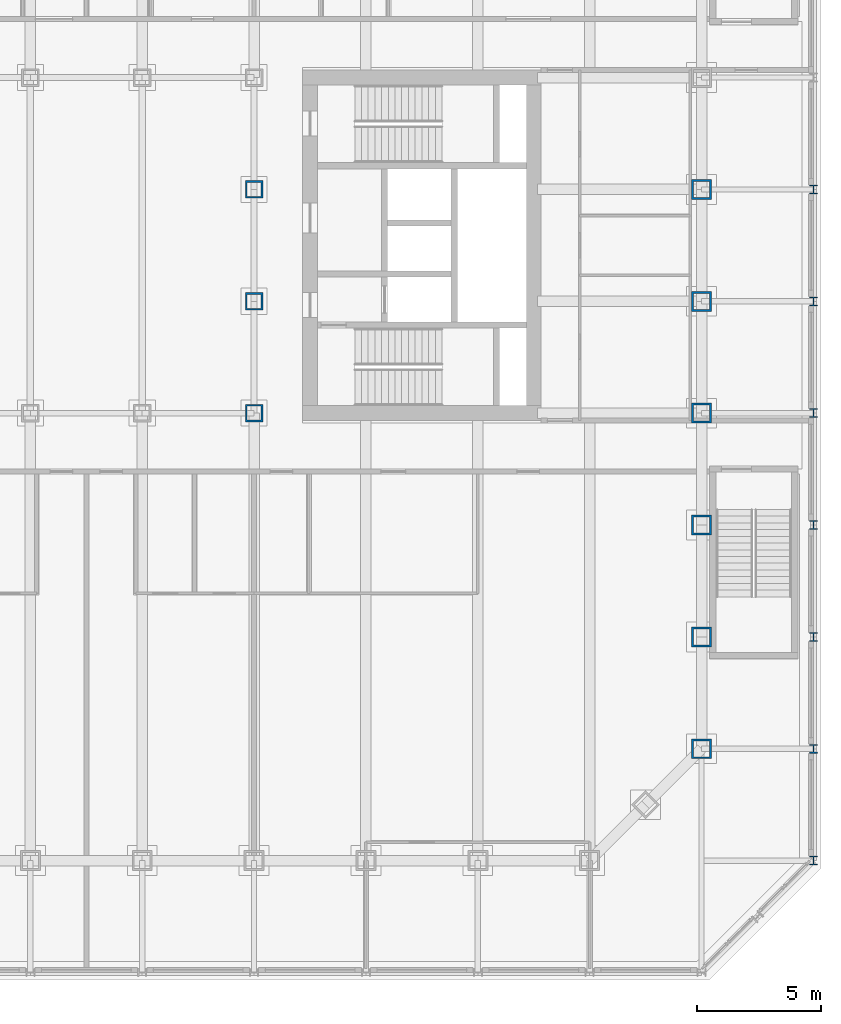
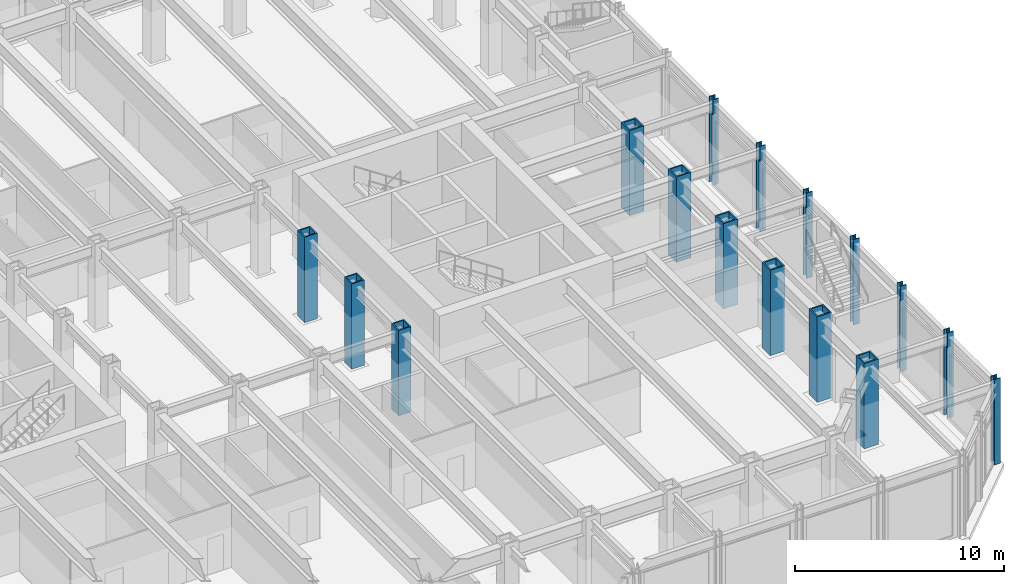
# One storey, part 2 of 19: 16 columns.
"""IFC4 building model written with IfcOpenShell, lengths in metres."""

from ifc_helpers import new_model, si_unit, direction, frame, origin, origin_2d, place, context, subcontext, project, spatial, hollow_rectangle, i_section, extrude, material, material_profile, profile_set, type_object, element, save


model = new_model("IFC4")

# Units and contexts
model_context = context("Model", 3, precision=1e-05, world=origin(), true_north=direction((0.0, 1.0)))
body_context = subcontext(model_context, "Body", "Model", "MODEL_VIEW")
ifc_project = project(units=[si_unit("LENGTHUNIT", "METRE"), si_unit("AREAUNIT", "SQUARE_METRE"), si_unit("VOLUMEUNIT", "CUBIC_METRE"), si_unit("PLANEANGLEUNIT", "RADIAN"), si_unit("MASSUNIT", "GRAM", prefix="KILO")], contexts=[model_context])

# Site, building, storey
site_placement = place(None, origin())
site = spatial("IfcSite", under=ifc_project, at=site_placement, CompositionType="ELEMENT")
building_placement = place(site_placement, origin())
building = spatial("IfcBuilding", under=site, at=building_placement, Name="Msasa Ring Tower", CompositionType="ELEMENT")
storey_placement = place(building_placement, frame((0.0, 0.0, 11.0)))
storey = spatial("IfcBuildingStorey", under=building, at=storey_placement, Name="L02", CompositionType="ELEMENT", Elevation=11.0)

# Columns
ifc_material_1 = material(Name="Steel S355", Category="steel")
ifc_material_profile_1 = material_profile(ifc_material_1, hollow_rectangle(XDim=0.699951171875, YDim=0.699951171875, WallThickness=0.070068359375, at=origin_2d()), Name="BOX 700x700x70")
ifc_profile_set_1 = profile_set([ifc_material_profile_1], Name="Steel S355")
column_type_1 = type_object("IfcColumnType", Name="IC1 BOX 700x700x70", PredefinedType="COLUMN", material=ifc_profile_set_1)
for number, where, z_axis, x_axis, name in (
    (1, (6.75, -6.75, 0.0), (0.0, 0.0, 1.0), (1.0, 0.0, 0.0), "Inner ring column IR+6.75-6.75 L02"),
    (2, (6.75, -2.25, 0.0), (0.0, 0.0, 1.0), (1.0, 0.0, 0.0), "Inner ring column IR+6.75-2.25 L02"),
    (3, (6.75, 2.25, 0.0), (0.0, 0.0, 1.0), (1.0, 0.0, 0.0), "Inner ring column IR+6.75+2.25 L02"),
):
    element("IfcColumn", number, at=place(storey_placement, frame(where, z_axis=z_axis, x_axis=x_axis)), inside=storey, type_object=column_type_1, Name=name, PredefinedType="COLUMN", context=body_context, shape_type="SweptSolid", body=[
        extrude(hollow_rectangle(XDim=0.699951171875, YDim=0.699951171875, WallThickness=0.070068359375, at=origin_2d()), origin(), (0.0, 0.0, 1.0), 5.0),
    ])
ifc_material_2 = material(Name="Steel S355", Category="steel")
ifc_material_profile_2 = material_profile(ifc_material_2, i_section(OverallWidth=0.322265625, OverallDepth=0.365234375, WebThickness=0.02685546875, FlangeThickness=0.044189453125, FilletRadius=0.01513671875, at=origin_2d()), Name="UC 305x305x283")
ifc_profile_set_2 = profile_set([ifc_material_profile_2], Name="Steel S355")
column_type_2 = type_object("IfcColumnType", Name="PC1 UC 305x305x283", PredefinedType="COLUMN", material=ifc_profile_set_2)
for number, where, z_axis, x_axis, name in (
    (4, (29.25, -24.75, 0.0), (0.0, 0.0, 1.0), (1.0, 0.0, 0.0), "Podium column E-24.75 L02"),
    (5, (29.25, -20.25, 0.0), (0.0, 0.0, 1.0), (1.0, 0.0, 0.0), "Podium column E-20.25 L02"),
    (6, (29.25, -15.75, 0.0), (0.0, 0.0, 1.0), (1.0, 0.0, 0.0), "Podium column E-15.75 L02"),
    (7, (29.25, -11.25, 0.0), (0.0, 0.0, 1.0), (1.0, 0.0, 0.0), "Podium column E-11.25 L02"),
    (8, (29.25, -6.75, 0.0), (0.0, 0.0, 1.0), (1.0, 0.0, 0.0), "Podium column E-6.75 L02"),
    (9, (29.25, -2.25, 0.0), (0.0, 0.0, 1.0), (1.0, 0.0, 0.0), "Podium column E-2.25 L02"),
    (10, (29.25, 2.25, 0.0), (0.0, 0.0, 1.0), (1.0, 0.0, 0.0), "Podium column E+2.25 L02"),
):
    element("IfcColumn", number, at=place(storey_placement, frame(where, z_axis=z_axis, x_axis=x_axis)), inside=storey, type_object=column_type_2, Name=name, PredefinedType="COLUMN", context=body_context, shape_type="SweptSolid", body=[
        extrude(i_section(OverallWidth=0.322265625, OverallDepth=0.365234375, WebThickness=0.02685546875, FlangeThickness=0.044189453125, FilletRadius=0.01513671875, at=origin_2d()), origin(), (0.0, 0.0, 1.0), 5.0),
    ])
ifc_material_3 = material(Name="Steel S355", Category="steel")
ifc_material_profile_3 = material_profile(ifc_material_3, hollow_rectangle(XDim=0.800048828125, YDim=0.800048828125, WallThickness=0.080078125, at=origin_2d()), Name="BOX 800x800x80")
ifc_profile_set_3 = profile_set([ifc_material_profile_3], Name="Steel S355")
column_type_3 = type_object("IfcColumnType", Name="TC1 BOX 800x800x80", PredefinedType="COLUMN", material=ifc_profile_set_3)
for number, where, z_axis, x_axis, name in (
    (11, (24.75, -20.25, 0.0), (0.0, 0.0, 1.0), (1.0, 0.0, 0.0), "Tube column E-20.25 L02"),
    (12, (24.75, -15.75, 0.0), (0.0, 0.0, 1.0), (1.0, 0.0, 0.0), "Tube column E-15.75 L02"),
    (13, (24.75, -11.25, 0.0), (0.0, 0.0, 1.0), (1.0, 0.0, 0.0), "Tube column E-11.25 L02"),
    (14, (24.75, -6.75, 0.0), (0.0, 0.0, 1.0), (1.0, 0.0, 0.0), "Tube column E-6.75 L02"),
    (15, (24.75, -2.25, 0.0), (0.0, 0.0, 1.0), (1.0, 0.0, 0.0), "Tube column E-2.25 L02"),
    (16, (24.75, 2.25, 0.0), (0.0, 0.0, 1.0), (1.0, 0.0, 0.0), "Tube column E+2.25 L02"),
):
    element("IfcColumn", number, at=place(storey_placement, frame(where, z_axis=z_axis, x_axis=x_axis)), inside=storey, type_object=column_type_3, Name=name, PredefinedType="COLUMN", context=body_context, shape_type="SweptSolid", body=[
        extrude(hollow_rectangle(XDim=0.800048828125, YDim=0.800048828125, WallThickness=0.080078125, at=origin_2d()), origin(), (0.0, 0.0, 1.0), 5.0),
    ])

save(model, "model.ifc")
